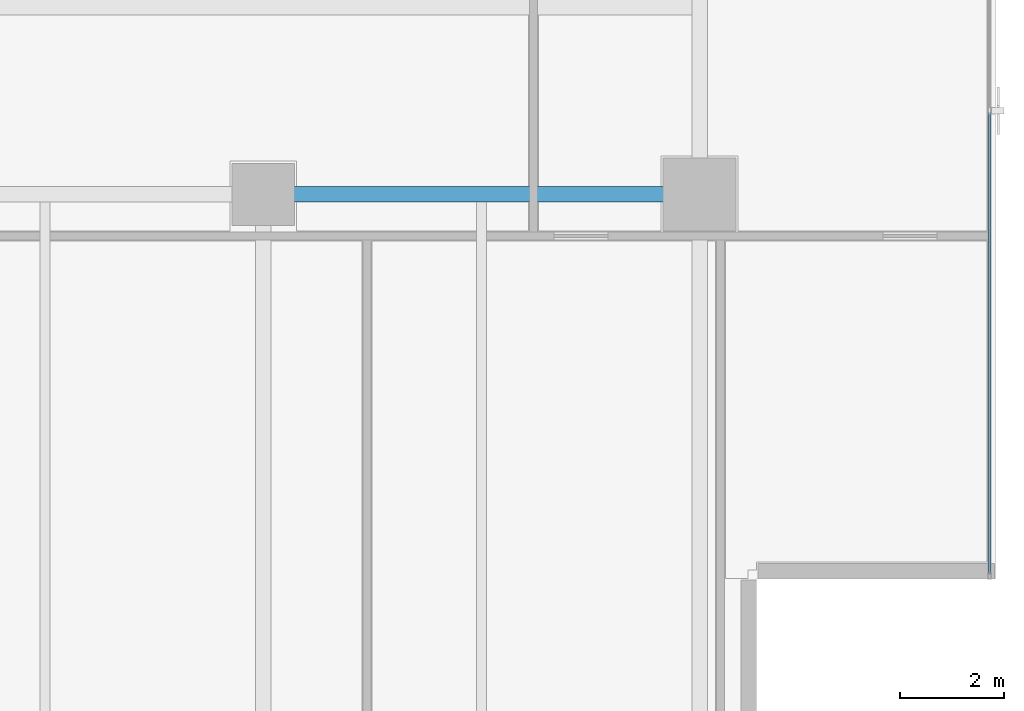
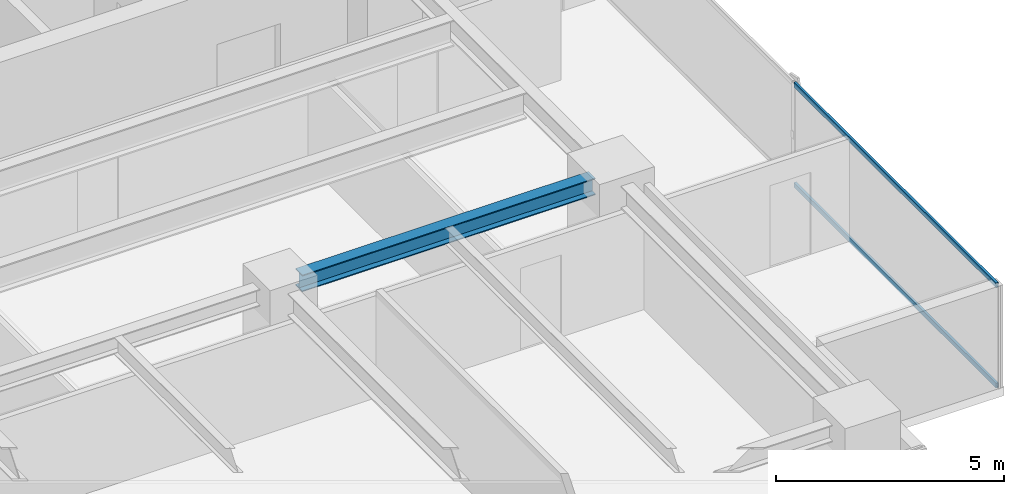
# One storey, part 12 of 26: 2 members, 1 beam, 1 element without a shape of its own.
"""IFC4 building model written with IfcOpenShell, lengths in metres."""

from ifc_helpers import new_model, si_unit, direction, frame, origin, origin_2d, place, context, subcontext, project, spatial, hollow_rectangle, i_section, extrude, source, transform, mapped, material, layer, layer_set, material_profile, profile_set, type_object, element, aggregate, save


model = new_model("IFC4")

# Units and contexts
model_context = context("Model", 3, precision=1e-05, world=origin(), true_north=direction((0.0, 1.0)))
body_context = subcontext(model_context, "Body", "Model", "MODEL_VIEW")
ifc_project = project(units=[si_unit("LENGTHUNIT", "METRE"), si_unit("AREAUNIT", "SQUARE_METRE"), si_unit("VOLUMEUNIT", "CUBIC_METRE"), si_unit("PLANEANGLEUNIT", "RADIAN"), si_unit("MASSUNIT", "GRAM", prefix="KILO")], contexts=[model_context])

# Site, building, storey
site_placement = place(None, origin())
site = spatial("IfcSite", under=ifc_project, at=site_placement, CompositionType="ELEMENT")
building_placement = place(site_placement, origin())
building = spatial("IfcBuilding", under=site, at=building_placement, Name="Sumidabori Civic Tower", CompositionType="ELEMENT")
storey_placement = place(building_placement, frame((0.0, 0.0, 250.39990234375)))
storey = spatial("IfcBuildingStorey", under=building, at=storey_placement, Name="L65", CompositionType="ELEMENT", Elevation=250.39990234375)

# Beam
ifc_material_1 = material(Name="Steel SN490", Category="steel")
ifc_material_profile_1 = material_profile(ifc_material_1, i_section(OverallWidth=0.300048828125, OverallDepth=0.449951171875, WebThickness=0.013916015625, FlangeThickness=0.02587890625, at=origin_2d()), Name="HE 450 B")
ifc_profile_set_1 = profile_set([ifc_material_profile_1], Name="Steel SN490")
beam_type = type_object("IfcBeamType", Name="BM-GIRD-450", PredefinedType="BEAM", material=ifc_profile_set_1)
shared_shape_1 = source(origin(), body_context, "Body", "SweptSolid", [
    extrude(i_section(OverallWidth=0.300048828125, OverallDepth=0.449951171875, WebThickness=0.013916015625, FlangeThickness=0.02587890625, at=origin_2d()), origin(), (0.0, 0.0, 1.0), 7.440185546875),
])
beam_placement = place(storey_placement, frame((8.8798828125, 0.0, 3.14501953125), z_axis=(1.0, 0.0, 0.0), x_axis=(0.0, 1.0, 0.0)))
element("IfcBeam", 1, at=beam_placement, inside=storey, type_object=beam_type, Name="Primary Girder L65 GX-08", PredefinedType="BEAM", context=body_context, shape_type="MappedRepresentation", body=[
    mapped(shared_shape_1, transform((0.0, 0.0, 0.0), x_axis=(1.0, 0.0, 0.0), y_axis=(0.0, 1.0, 0.0), z_axis=(0.0, 0.0, 1.0), scale=1.0)),
])

# Curtain wall, members
ifc_material_2 = material(Name="Anodised Bronze Aluminium AW-6063-T6", Category="aluminium")
ifc_layer = layer(ifc_material_2, 0.179931640625, Name="Anodised Bronze Aluminium AW-6063-T6")
ifc_layer_set = layer_set([ifc_layer], Name="Anodised Bronze Aluminium AW-6063-T6")
curtain_wall_type = type_object("IfcCurtainWallType", Name="CW-SYS-5", PredefinedType="NOTDEFINED", material=ifc_layer_set)
curtain_wall_placement = place(storey_placement, origin())
curtain_wall = element("IfcCurtainWall", 2, at=curtain_wall_placement, inside=storey, type_object=curtain_wall_type, Name="Curtain Wall CW:L65:R04", PredefinedType="NOTDEFINED")
ifc_material_profile_2 = material_profile(ifc_material_2, hollow_rectangle(XDim=0.06005859375, YDim=0.1298828125, WallThickness=0.0048828125, at=origin_2d()), Name="ALU TRANSOM 130x60")
ifc_profile_set_2 = profile_set([ifc_material_profile_2], Name="Anodised Bronze Aluminium AW-6063-T6")
member_type = type_object("IfcMemberType", Name="CW-TRN-130", PredefinedType="USERDEFINED", material=ifc_profile_set_2)
shared_shape_2 = source(origin(), body_context, "Body", "SweptSolid", [
    extrude(hollow_rectangle(XDim=0.06005859375, YDim=0.1298828125, WallThickness=0.0048828125, at=origin_2d()), origin(), (0.0, 0.0, 1.0), 8.89013671875),
])
member_1_placement = place(storey_placement, frame((22.3798828125, -7.31005859375, 0.030029296875), z_axis=(0.0, 1.0, 0.0), x_axis=(-1.0, 0.0, 0.0)))
member_1 = element("IfcMember", 3, at=member_1_placement, type_object=member_type, Name="CW-5 transom 1.1", ObjectType="TRANSOM", PredefinedType="USERDEFINED", context=body_context, shape_type="MappedRepresentation", body=[
    mapped(shared_shape_2, transform((0.0, 0.0, 0.0), x_axis=(1.0, 0.0, 0.0), y_axis=(0.0, 1.0, 0.0), z_axis=(0.0, 0.0, 1.0), scale=1.0)),
])
member_2_placement = place(storey_placement, frame((22.3798828125, -7.31005859375, 2.72021484375), z_axis=(0.0, 1.0, 0.0), x_axis=(-1.0, 0.0, 0.0)))
member_2 = element("IfcMember", 4, at=member_2_placement, type_object=member_type, Name="CW-5 transom 1.2", ObjectType="TRANSOM", PredefinedType="USERDEFINED", context=body_context, shape_type="MappedRepresentation", body=[
    mapped(shared_shape_2, transform((0.0, 0.0, 0.0), x_axis=(1.0, 0.0, 0.0), y_axis=(0.0, 1.0, 0.0), z_axis=(0.0, 0.0, 1.0), scale=1.0)),
])
aggregate(curtain_wall, [member_1, member_2])

save(model, "model.ifc")
